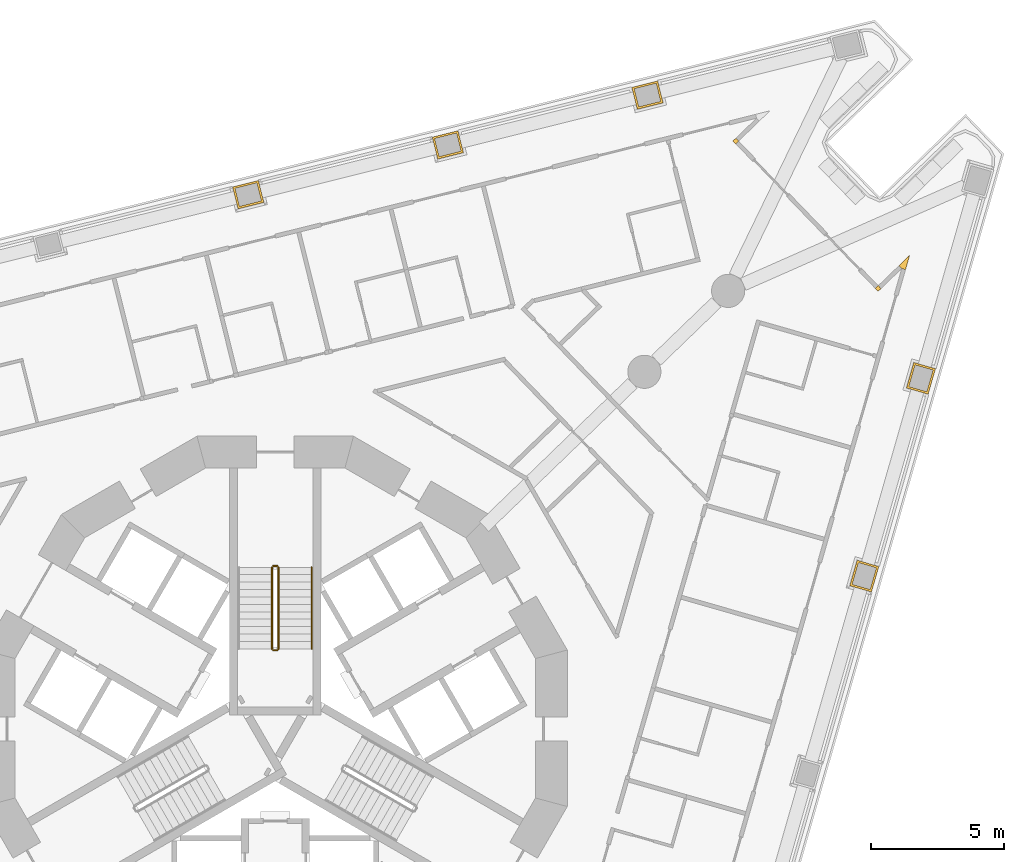
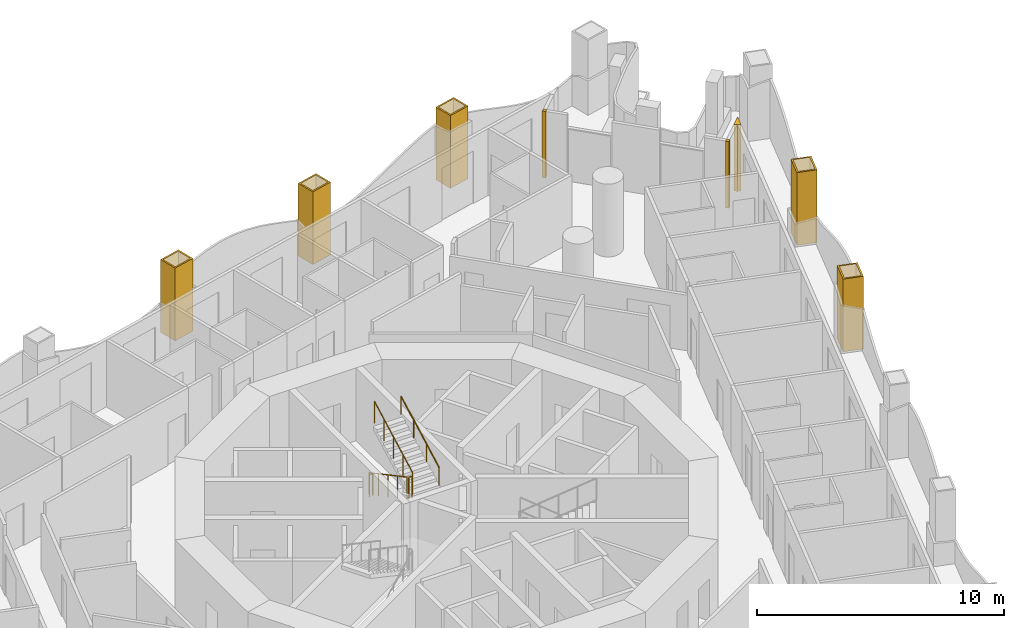
# One storey, part 18 of 20: 8 coverings, 5 railings.
"""IFC4 building model written with IfcOpenShell, lengths in metres."""

from ifc_helpers import new_model, si_unit, direction, frame, origin, origin_2d, place, context, subcontext, project, spatial, polyline, circle, outline, extrude, material, layer, layer_set, type_object, element, save


model = new_model("IFC4")

# Units and contexts
model_context = context("Model", 3, precision=1e-05, world=origin(), true_north=direction((0.0, 1.0)))
body_context = subcontext(model_context, "Body", "Model", "MODEL_VIEW")
ifc_project = project(units=[si_unit("LENGTHUNIT", "METRE"), si_unit("AREAUNIT", "SQUARE_METRE"), si_unit("VOLUMEUNIT", "CUBIC_METRE"), si_unit("PLANEANGLEUNIT", "RADIAN"), si_unit("MASSUNIT", "GRAM", prefix="KILO")], contexts=[model_context])

# Site, building, storey
site_placement = place(None, origin())
site = spatial("IfcSite", under=ifc_project, at=site_placement, CompositionType="ELEMENT")
building_placement = place(site_placement, origin())
building = spatial("IfcBuilding", under=site, at=building_placement, Name="Trine Commons Tower", CompositionType="ELEMENT")
storey_placement = place(building_placement, frame((0.0, 0.0, 101.699951171875)))
storey = spatial("IfcBuildingStorey", under=building, at=storey_placement, Name="L25", CompositionType="ELEMENT", Elevation=101.699951171875)

# Coverings
ifc_material_1 = material(Name="Aluminium-framed insulated wall panel", Category="aluminium")
ifc_layer_1 = layer(ifc_material_1, 0.14990234375)
ifc_layer_set_1 = layer_set([ifc_layer_1], Name="Aluminium-framed insulated wall panel")
covering_type_1 = type_object("IfcCoveringType", Name="Glazing corner post, aluminium", PredefinedType="CLADDING", material=ifc_layer_set_1)
covering_1_placement = place(storey_placement, origin())
element("IfcCovering", 1, at=covering_1_placement, inside=storey, type_object=covering_type_1, Name="Glazing corner post 3-06", PredefinedType="CLADDING", context=body_context, shape_type="SweptSolid", body=[
    extrude(outline(polyline([(97.36328125, 84.536376953125), (97.47119140625, 84.640380859375), (97.47119140625, 84.640380859375), (97.366943359375, 84.748291015625), (97.259033203125, 84.644287109375), (97.36328125, 84.536376953125)])), origin(), (0.0, 0.0, 1.0), 3.300048828125),
])
covering_2_placement = place(storey_placement, origin())
element("IfcCovering", 2, at=covering_2_placement, inside=storey, type_object=covering_type_1, Name="Glazing corner post 3-07", PredefinedType="CLADDING", context=body_context, shape_type="SweptSolid", body=[
    extrude(outline(polyline([(102.62890625, 79.083740234375), (102.73291015625, 78.975830078125), (102.8408203125, 79.080078125), (102.73681640625, 79.18798828125), (102.73681640625, 79.18798828125), (102.62890625, 79.083740234375)])), origin(), (0.0, 0.0, 1.0), 3.300048828125),
])
covering_3_placement = place(storey_placement, origin())
element("IfcCovering", 3, at=covering_3_placement, inside=storey, type_object=covering_type_1, Name="Glazing corner post 3-08", PredefinedType="CLADDING", context=body_context, shape_type="SweptSolid", body=[
    extrude(outline(polyline([(103.76611328125, 79.79296875), (103.92041015625, 80.3310546875), (103.517578125, 79.942138671875), (103.621826171875, 79.834228515625), (103.76611328125, 79.79296875)])), origin(), (0.0, 0.0, 1.0), 3.300048828125),
])
ifc_material_2 = material(Name="Limestone, honed", Category="masonry")
ifc_layer_2 = layer(ifc_material_2, 0.074951171875)
ifc_layer_set_2 = layer_set([ifc_layer_2], Name="Limestone, honed")
covering_type_2 = type_object("IfcCoveringType", Name="Limestone column cladding 75", PredefinedType="CLADDING", material=ifc_layer_set_2)
covering_4_placement = place(storey_placement, origin())
element("IfcCovering", 4, at=covering_4_placement, inside=storey, type_object=covering_type_2, Name="Limestone pier cladding 3-13", PredefinedType="CLADDING", context=body_context, shape_type="SweptSolid", body=[
    extrude(outline(polyline([(79.569091796875, 82.32861328125), (79.36328125, 83.1533203125), (78.39306640625, 82.91162109375), (78.598876953125, 82.0869140625), (79.569091796875, 82.32861328125)]), holes=[polyline([(79.47802734375, 82.38330078125), (79.308837890625, 83.0625), (78.484130859375, 82.85693359375), (78.6533203125, 82.177734375), (79.47802734375, 82.38330078125)])]), origin(), (0.0, 0.0, 1.0), 3.60009765625),
])
covering_5_placement = place(storey_placement, origin())
element("IfcCovering", 5, at=covering_5_placement, inside=storey, type_object=covering_type_2, Name="Limestone pier cladding 3-14", PredefinedType="CLADDING", context=body_context, shape_type="SweptSolid", body=[
    extrude(outline(polyline([(87.09619140625, 84.205322265625), (86.890625, 85.030029296875), (85.92041015625, 84.7880859375), (86.1259765625, 83.96337890625), (87.09619140625, 84.205322265625)]), holes=[polyline([(87.00537109375, 84.260009765625), (86.8359375, 84.939208984375), (86.01123046875, 84.733642578125), (86.1806640625, 84.054443359375), (87.00537109375, 84.260009765625)])]), origin(), (0.0, 0.0, 1.0), 3.60009765625),
])
covering_6_placement = place(storey_placement, origin())
element("IfcCovering", 6, at=covering_6_placement, inside=storey, type_object=covering_type_2, Name="Limestone pier cladding 3-15", PredefinedType="CLADDING", context=body_context, shape_type="SweptSolid", body=[
    extrude(outline(polyline([(94.62353515625, 86.082275390625), (94.417724609375, 86.906982421875), (93.447509765625, 86.6650390625), (93.6533203125, 85.84033203125), (94.62353515625, 86.082275390625)]), holes=[polyline([(94.532470703125, 86.13671875), (94.36328125, 86.81591796875), (93.53857421875, 86.6103515625), (93.707763671875, 85.93115234375), (94.532470703125, 86.13671875)])]), origin(), (0.0, 0.0, 1.0), 3.60009765625),
])
covering_7_placement = place(storey_placement, origin())
element("IfcCovering", 7, at=covering_7_placement, inside=storey, type_object=covering_type_2, Name="Limestone pier cladding 3-18", PredefinedType="CLADDING", context=body_context, shape_type="SweptSolid", body=[
    extrude(outline(polyline([(104.895263671875, 76.057373046875), (104.078125, 76.29150390625), (103.802490234375, 75.330322265625), (104.61962890625, 75.095947265625), (104.895263671875, 76.057373046875)]), holes=[polyline([(104.802490234375, 76.005859375), (104.129638671875, 76.19873046875), (103.895263671875, 75.381591796875), (104.568115234375, 75.188720703125), (104.802490234375, 76.005859375)])]), origin(), (0.0, 0.0, 1.0), 3.60009765625),
])
covering_8_placement = place(storey_placement, origin())
element("IfcCovering", 8, at=covering_8_placement, inside=storey, type_object=covering_type_2, Name="Limestone pier cladding 3-19", PredefinedType="CLADDING", context=body_context, shape_type="SweptSolid", body=[
    extrude(outline(polyline([(102.757080078125, 68.60009765625), (101.93994140625, 68.83447265625), (101.664306640625, 67.873291015625), (102.481201171875, 67.638916015625), (102.757080078125, 68.60009765625)]), holes=[polyline([(102.664306640625, 68.548828125), (101.9912109375, 68.74169921875), (101.757080078125, 67.924560546875), (102.429931640625, 67.731689453125), (102.664306640625, 68.548828125)])]), origin(), (0.0, 0.0, 1.0), 3.60009765625),
])

# Railings
ifc_material_3 = material(Name="Stainless steel balustrade", Category="steel")
railing_type_1 = type_object("IfcRailingType", Name="Stair guard, steel balustrade 1100", PredefinedType="GUARDRAIL", material=ifc_material_3)
railing_1_placement = place(storey_placement, frame((79.875, 68.570556640625, 0.150146484375)))
element("IfcRailing", 9, at=railing_1_placement, inside=storey, type_object=railing_type_1, Name="L25 ST1A stair guard 1", PredefinedType="GUARDRAIL", context=body_context, shape_type="SweptSolid", body=[
    extrude(circle(Radius=0.02392578125, at=origin_2d()), frame((0.0, 0.0, 1.076171875), z_axis=(0.0, -0.881496589024, 0.472190389079), x_axis=(1.0, 0.0, 0.0)), (0.0, 0.0, 1.0), 3.494140625),
    extrude(circle(Radius=0.02099609375, at=origin_2d()), origin(), (0.0, 0.0, 1.0), 1.052001953125),
    extrude(circle(Radius=0.02099609375, at=origin_2d()), frame((0.0, -0.77001953125, 0.41259765625)), (0.0, 0.0, 1.0), 1.052001953125),
    extrude(circle(Radius=0.02099609375, at=origin_2d()), frame((0.0, -1.5400390625, 0.824951171875)), (0.0, 0.0, 1.0), 1.052001953125),
    extrude(circle(Radius=0.02099609375, at=origin_2d()), frame((0.0, -2.31005859375, 1.2373046875)), (0.0, 0.0, 1.0), 1.052001953125),
    extrude(circle(Radius=0.02099609375, at=origin_2d()), frame((0.0, -3.080078125, 1.64990234375)), (0.0, 0.0, 1.0), 1.052001953125),
])
railing_2_placement = place(storey_placement, frame((79.925048828125, 65.440673828125, 1.800048828125)))
element("IfcRailing", 10, at=railing_2_placement, inside=storey, type_object=railing_type_1, Name="L25 ST1A stair guard 2", PredefinedType="GUARDRAIL", context=body_context, shape_type="SweptSolid", body=[
    extrude(circle(Radius=0.02392578125, at=origin_2d()), frame((0.0, 0.0, 1.076171875), z_axis=(1.0, 0.0, 0.0), x_axis=(0.0, 1.0, 0.0)), (0.0, 0.0, 1.0), 0.14990234375),
    extrude(circle(Radius=0.02099609375, at=origin_2d()), origin(), (0.0, 0.0, 1.0), 1.052001953125),
    extrude(circle(Radius=0.02099609375, at=origin_2d()), frame((0.14990234375, 0.0, 0.0)), (0.0, 0.0, 1.0), 1.052001953125),
])
railing_3_placement = place(storey_placement, frame((80.125, 65.490478515625, 1.949951171875)))
element("IfcRailing", 11, at=railing_3_placement, inside=storey, type_object=railing_type_1, Name="L25 ST1A stair guard 3", PredefinedType="GUARDRAIL", context=body_context, shape_type="SweptSolid", body=[
    extrude(circle(Radius=0.02392578125, at=origin_2d()), frame((0.0, 0.0, 1.076171875), z_axis=(0.0, 0.881467505477, 0.472244678941), x_axis=(-1.0, 0.0, 0.0)), (0.0, 0.0, 1.0), 3.494140625),
    extrude(circle(Radius=0.02099609375, at=origin_2d()), origin(), (0.0, 0.0, 1.0), 1.052001953125),
    extrude(circle(Radius=0.02099609375, at=origin_2d()), frame((0.0, 0.77001953125, 0.41259765625)), (0.0, 0.0, 1.0), 1.052001953125),
    extrude(circle(Radius=0.02099609375, at=origin_2d()), frame((0.0, 1.5400390625, 0.8251953125)), (0.0, 0.0, 1.0), 1.052001953125),
    extrude(circle(Radius=0.02099609375, at=origin_2d()), frame((0.0, 2.31005859375, 1.237548828125)), (0.0, 0.0, 1.0), 1.052001953125),
    extrude(circle(Radius=0.02099609375, at=origin_2d()), frame((0.0, 3.080078125, 1.650146484375)), (0.0, 0.0, 1.0), 1.052001953125),
])
railing_4_placement = place(storey_placement, frame((79.925048828125, 68.62060546875, 0.0)))
element("IfcRailing", 12, at=railing_4_placement, inside=storey, type_object=railing_type_1, Name="L25 ST1A stair guard 4", PredefinedType="GUARDRAIL", context=body_context, shape_type="SweptSolid", body=[
    extrude(circle(Radius=0.02392578125, at=origin_2d()), frame((0.0, 0.0, 1.076171875), z_axis=(1.0, 0.0, 0.0), x_axis=(0.0, 1.0, 0.0)), (0.0, 0.0, 1.0), 0.14990234375),
    extrude(circle(Radius=0.02099609375, at=origin_2d()), origin(), (0.0, 0.0, 1.0), 1.052001953125),
    extrude(circle(Radius=0.02099609375, at=origin_2d()), frame((0.14990234375, 0.0, 0.0)), (0.0, 0.0, 1.0), 1.052001953125),
])
ifc_material_4 = material(Name="Stainless steel handrail", Category="steel")
railing_type_2 = type_object("IfcRailingType", Name="Stair handrail, steel 900", PredefinedType="HANDRAIL", material=ifc_material_4)
railing_5_placement = place(storey_placement, frame((81.375, 65.490478515625, 1.949951171875)))
element("IfcRailing", 13, at=railing_5_placement, inside=storey, type_object=railing_type_2, Name="L25 ST1A stair handrail 2", PredefinedType="HANDRAIL", context=body_context, shape_type="SweptSolid", body=[
    extrude(circle(Radius=0.02099609375, at=origin_2d()), frame((0.0, 0.0, 0.87890625), z_axis=(0.0, 0.881467505477, 0.472244678941), x_axis=(-1.0, 0.0, 0.0)), (0.0, 0.0, 1.0), 3.494140625),
    extrude(circle(Radius=0.01513671875, at=origin_2d()), origin(), (0.0, 0.0, 1.0), 0.85791015625),
    extrude(circle(Radius=0.01513671875, at=origin_2d()), frame((0.0, 1.026611328125, 0.550048828125)), (0.0, 0.0, 1.0), 0.85791015625),
    extrude(circle(Radius=0.01513671875, at=origin_2d()), frame((0.0, 2.053466796875, 1.10009765625)), (0.0, 0.0, 1.0), 0.85791015625),
    extrude(circle(Radius=0.01513671875, at=origin_2d()), frame((0.0, 3.080078125, 1.650146484375)), (0.0, 0.0, 1.0), 0.85791015625),
])

save(model, "model.ifc")
